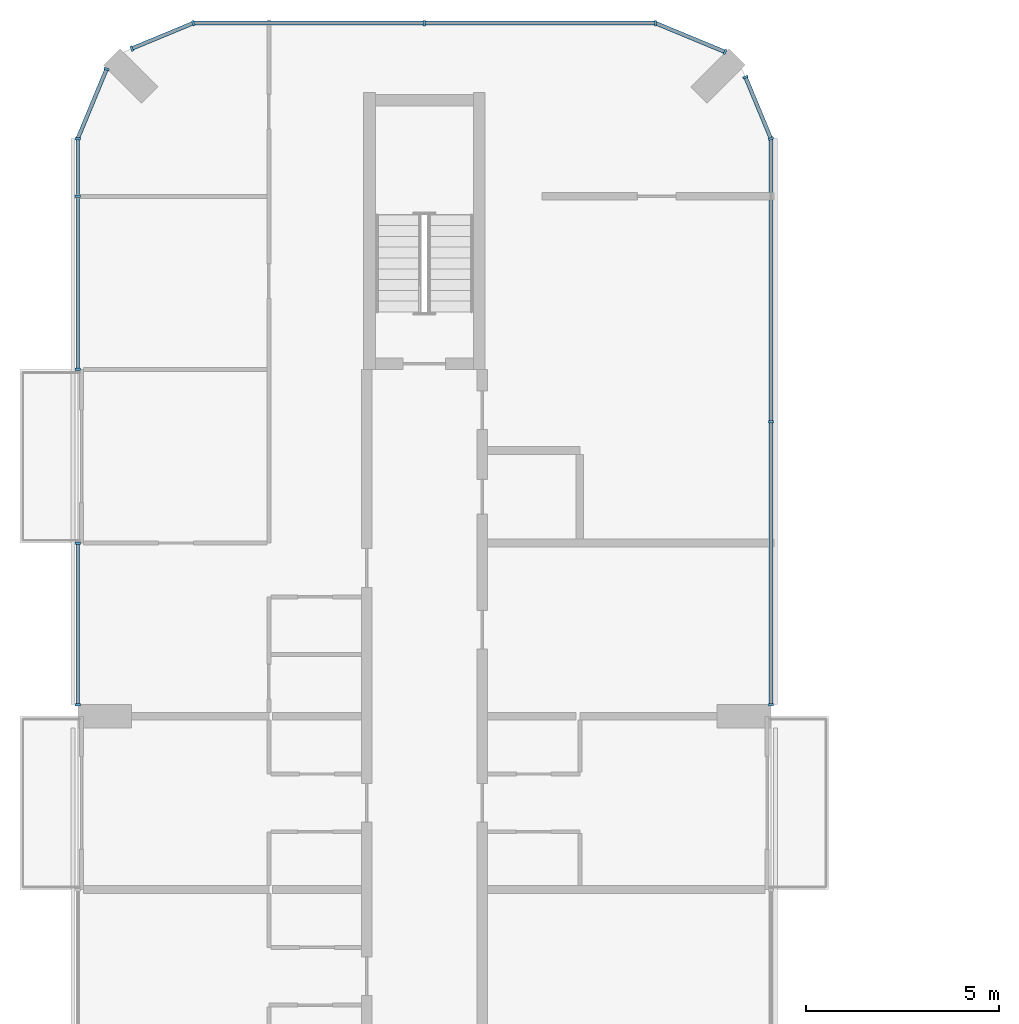
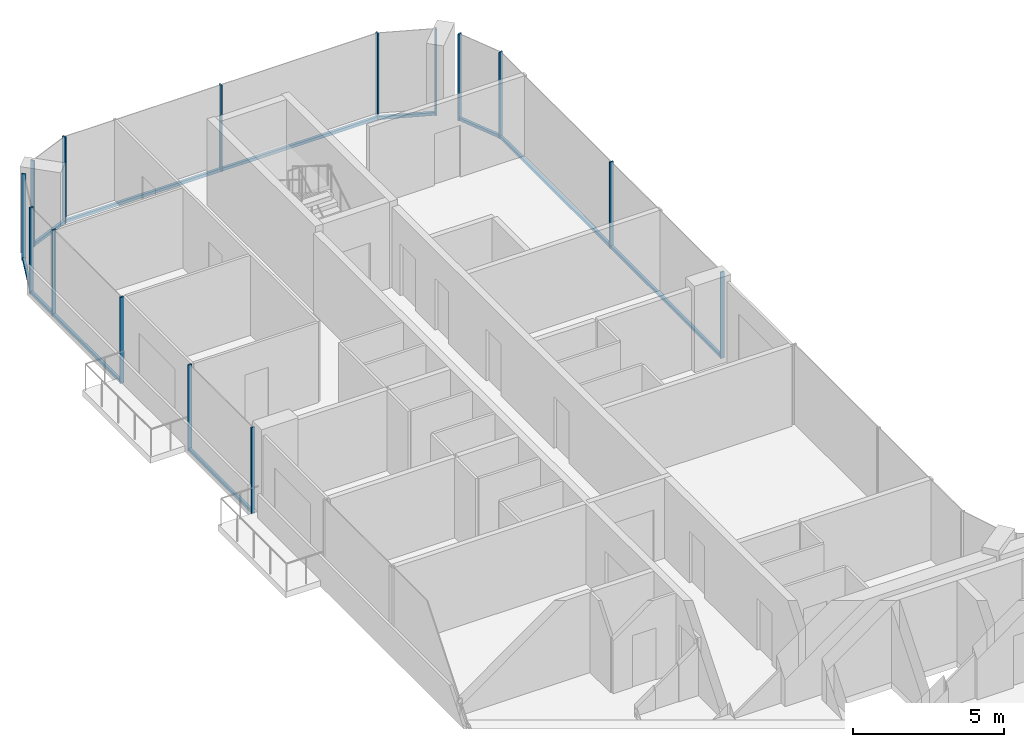
# One storey, part 7 of 15: 23 members, 8 elements without a shape of their own.
"""IFC4 building model written with IfcOpenShell, lengths in metres."""

import ifcopenshell
import ifcopenshell.guid

model = None  # the IFC model being written
_history = None  # IfcOwnerHistory: only IFC2X3 demands one
_inside = {}  # id of a spatial element -> (the spatial element, [elements in it])
_under = {}  # id of a project, library or spatial element -> (it, [spatial elements below it])
_declared = {}  # id of a project -> (the project, [libraries it declares])
_typed = {}  # id of a type object -> (the type object, [elements of that type])
_made_of = {}  # id of a material, layer set ... -> (it, [elements and type objects made of it])


def new_model(schema):
    """Start an empty IFC model of exactly this schema.

    Asked for "IFC4X3", IfcOpenShell would pick the latest addendum, in which some entities
    have other attributes; the version numbers below select the first issue.
    IFC2X3 requires an IfcOwnerHistory on every rooted entity: one is made here for all.
    """
    global model, _history
    if schema == "IFC4X3":
        model = ifcopenshell.file(schema_version=(4, 3, 0, 0))
    else:
        model = ifcopenshell.file(schema=schema)
    _inside.clear()
    _under.clear()
    _declared.clear()
    _typed.clear()
    _made_of.clear()
    _history = None
    if model.schema == "IFC2X3":
        org = make("IfcOrganization", Name="unknown")
        user = make(
            "IfcPersonAndOrganization",
            ThePerson=make("IfcPerson", FamilyName="unknown"),
            TheOrganization=org,
        )
        app = make(
            "IfcApplication",
            ApplicationDeveloper=org,
            Version="unknown",
            ApplicationFullName="unknown",
            ApplicationIdentifier="unknown",
        )
        _history = make(
            "IfcOwnerHistory",
            OwningUser=user,
            OwningApplication=app,
            ChangeAction="ADDED",
            CreationDate=0,
        )
    return model


def make(cls, **values):
    """One entity of the class cls with the attributes given. An attribute that is None is left unset."""
    return model.create_entity(
        cls, **{name: value for name, value in values.items() if value is not None}
    )


def rooted(cls, **values):
    """An entity with a GlobalId (a new one), such as an element, a storey or a relation."""
    return make(cls, GlobalId=ifcopenshell.guid.new(), OwnerHistory=_history, **values)


def si_unit(unit_type, name, prefix=None):
    """IfcSIUnit, for example si_unit("LENGTHUNIT", "METRE", prefix="MILLI")."""
    return make("IfcSIUnit", UnitType=unit_type, Prefix=prefix, Name=name)


def assignment(units):
    """IfcUnitAssignment: the units of a project."""
    return None if units is None else make("IfcUnitAssignment", Units=units)


def point(xyz):
    """IfcCartesianPoint."""
    return None if xyz is None else make("IfcCartesianPoint", Coordinates=xyz)


def direction(xyz):
    """IfcDirection."""
    return None if xyz is None else make("IfcDirection", DirectionRatios=xyz)


def frame(location, z_axis=None, x_axis=None):
    """IfcAxis2Placement3D, a coordinate frame: its origin and axes. An axis left out is left unset."""
    return make(
        "IfcAxis2Placement3D",
        Location=point(location),
        Axis=direction(z_axis),
        RefDirection=direction(x_axis),
    )


def frame_2d(location, x_axis=None):
    """IfcAxis2Placement2D, a coordinate frame in the plane: its origin and x axis."""
    return make(
        "IfcAxis2Placement2D", Location=point(location), RefDirection=direction(x_axis)
    )


def origin():
    """The frame at (0, 0, 0) with its axes left unset."""
    return frame((0.0, 0.0, 0.0))


def origin_2d():
    """The frame at (0, 0) in the plane with its x axis left unset."""
    return frame_2d((0.0, 0.0))


def place(relative_to, where):
    """IfcLocalPlacement: puts the frame where relative to a parent placement (None: the world)."""
    return make(
        "IfcLocalPlacement", PlacementRelTo=relative_to, RelativePlacement=where
    )


def context(
    kind, dimensions, precision=None, world=None, true_north=None, identifier=None
):
    """IfcGeometricRepresentationContext, for example the 3D "Model" context."""
    return make(
        "IfcGeometricRepresentationContext",
        ContextIdentifier=identifier,
        ContextType=kind,
        CoordinateSpaceDimension=dimensions,
        Precision=precision,
        WorldCoordinateSystem=world,
        TrueNorth=true_north,
    )


def subcontext(parent, identifier, kind, view, scale=None):
    """IfcGeometricRepresentationSubContext, for example "Body" below "Model"."""
    return make(
        "IfcGeometricRepresentationSubContext",
        ContextIdentifier=identifier,
        ContextType=kind,
        ParentContext=parent,
        TargetScale=scale,
        TargetView=view,
    )


def project(units=None, contexts=None):
    """IfcProject with its units and contexts."""
    return rooted(
        "IfcProject",
        Name="project",
        RepresentationContexts=contexts,
        UnitsInContext=assignment(units),
    )


def spatial(cls, under=None, at=None, **own):
    """A site, building, storey or space (cls), placed at a placement, below another one or the project."""
    s = rooted(cls, ObjectPlacement=at, **own)
    if under is not None:
        _under.setdefault(under.id(), (under, []))[1].append(s)
    return s


def profile(cls, at=None, kind="AREA", **sizes):
    """A parametric profile (cls). Its sizes go by their IFC names, for example OverallWidth=200.0."""
    return make(cls, ProfileType=kind, Position=at, **sizes)


def rectangle(**sizes):
    """IfcRectangleProfileDef."""
    return profile("IfcRectangleProfileDef", **sizes)


def extrude(swept, where, along, depth):
    """IfcExtrudedAreaSolid: the profile swept, set in the frame where, extruded along a direction by depth."""
    return make(
        "IfcExtrudedAreaSolid",
        SweptArea=swept,
        Position=where,
        ExtrudedDirection=direction(along),
        Depth=depth,
    )


def shape(context_of_items, identifier, shape_type, items):
    """IfcShapeRepresentation: the items that make up one representation, for example the "Body"."""
    return make(
        "IfcShapeRepresentation",
        ContextOfItems=context_of_items,
        RepresentationIdentifier=identifier,
        RepresentationType=shape_type,
        Items=items,
    )


def material(Name=None, Category=None):
    """IfcMaterial."""
    return make("IfcMaterial", Name=Name, Category=Category)


def layer(
    of_material, thickness, ventilated=None, Name=None, Category=None, Priority=None
):
    """IfcMaterialLayer: one layer of a wall or slab, of a material (None: an air gap)."""
    return make(
        "IfcMaterialLayer",
        Material=of_material,
        LayerThickness=thickness,
        IsVentilated=ventilated,
        Name=Name,
        Category=Category,
        Priority=Priority,
    )


def layer_set(layers, Name=None):
    """IfcMaterialLayerSet."""
    return make("IfcMaterialLayerSet", MaterialLayers=layers, LayerSetName=Name)


def material_profile(
    of_material, cross_section, Name=None, Category=None, Priority=None
):
    """IfcMaterialProfile: a cross section and its material."""
    return make(
        "IfcMaterialProfile",
        Name=Name,
        Material=of_material,
        Profile=cross_section,
        Priority=Priority,
        Category=Category,
    )


def profile_set(profiles, Name=None, composite=None):
    """IfcMaterialProfileSet."""
    return make(
        "IfcMaterialProfileSet",
        Name=Name,
        MaterialProfiles=profiles,
        CompositeProfile=composite,
    )


def made_of(thing, what):
    """Note that an element or type object is made of a material, layer set ...; save() writes the relation."""
    if what is not None:
        _made_of.setdefault(what.id(), (what, []))[1].append(thing)
    return thing


def type_object(cls, material=None, **own):
    """A type object (cls), such as IfcWallType, which elements share."""
    return made_of(rooted(cls, **own), material)


def element(
    cls,
    number,
    at=None,
    inside=None,
    cuts=None,
    type_object=None,
    material=None,
    context=None,
    identifier="Body",
    shape_type=None,
    held_by="IfcProductDefinitionShape",
    body=None,
    shapes=None,
    **own,
):
    """One element of the class cls, such as IfcWall. Its Tag is "e" and its number.

    at: its placement. inside: the storey or other place that contains it. cuts: it is an
    opening in that element (IfcRelVoidsElement). A single representation is given by context,
    identifier, shape_type and body (its items); several are given by shapes. held_by: the class
    of the entity that holds the representations. save() writes the other relations.
    """
    e = rooted(cls, Tag="e%d" % number, ObjectPlacement=at, **own)
    if body is not None:
        shapes = [shape(context, identifier, shape_type, body)]
    if shapes is not None:
        e.Representation = make(held_by, Representations=shapes)
    if inside is not None:
        _inside.setdefault(inside.id(), (inside, []))[1].append(e)
    if cuts is not None:
        rooted(
            "IfcRelVoidsElement", RelatingBuildingElement=cuts, RelatedOpeningElement=e
        )
    if type_object is not None:
        _typed.setdefault(type_object.id(), (type_object, []))[1].append(e)
    return made_of(e, material)


def aggregate(whole, parts):
    """IfcRelAggregates: a whole, such as a stair, and the parts it consists of."""
    return rooted("IfcRelAggregates", RelatingObject=whole, RelatedObjects=parts)


def save(model, path):
    """Write the relations noted so far, then the file.

    IfcRelAggregates (storeys below a building ...), IfcRelContainedInSpatialStructure (elements
    in a storey), IfcRelDefinesByType, IfcRelAssociatesMaterial and IfcRelDeclares: one each for
    every whole, place, type object, material and project.
    """
    for whole, parts in _under.values():
        aggregate(whole, parts)
    for where, things in _inside.values():
        rooted(
            "IfcRelContainedInSpatialStructure",
            RelatedElements=things,
            RelatingStructure=where,
        )
    for kind, things in _typed.values():
        rooted("IfcRelDefinesByType", RelatedObjects=things, RelatingType=kind)
    for what, things in _made_of.values():
        rooted("IfcRelAssociatesMaterial", RelatedObjects=things, RelatingMaterial=what)
    for by, libraries in _declared.values():
        rooted("IfcRelDeclares", RelatingContext=by, RelatedDefinitions=libraries)
    model.write(path)


model = new_model("IFC4")

# Units and contexts
model_context = context("Model", 3, precision=1e-05, world=origin(), true_north=direction((0.0, 1.0)))
body_context = subcontext(model_context, "Body", "Model", "MODEL_VIEW")
ifc_project = project(units=[si_unit("LENGTHUNIT", "METRE"), si_unit("AREAUNIT", "SQUARE_METRE"), si_unit("VOLUMEUNIT", "CUBIC_METRE"), si_unit("PLANEANGLEUNIT", "RADIAN"), si_unit("MASSUNIT", "GRAM", prefix="KILO")], contexts=[model_context])

# Site, building, storey
site_placement = place(None, origin())
site = spatial("IfcSite", under=ifc_project, at=site_placement, CompositionType="ELEMENT")
building_placement = place(site_placement, origin())
building = spatial("IfcBuilding", under=site, at=building_placement, Name="Plateau Cross Towers", CompositionType="ELEMENT")
storey_placement = place(building_placement, frame((0.0, 0.0, 194.39990234375)))
storey = spatial("IfcBuildingStorey", under=building, at=storey_placement, Name="L50", CompositionType="ELEMENT", Elevation=194.39990234375)

# Curtain wall, members
ifc_material_1 = material(Name="Dark low-iron glass", Category="glass")
ifc_layer = layer(ifc_material_1, 0.239990234375)
ifc_layer_set = layer_set([ifc_layer], Name="Dark low-iron glass")
curtain_wall_type = type_object("IfcCurtainWallType", Name="Curtain wall flush unitised CW-B", PredefinedType="NOTDEFINED", material=ifc_layer_set)
curtain_wall_1_placement = place(storey_placement, origin())
curtain_wall_1 = element("IfcCurtainWall", 1, at=curtain_wall_1_placement, inside=storey, type_object=curtain_wall_type, Name="ENV/A/L50/A180_363", PredefinedType="NOTDEFINED")
ifc_material_2 = material(Name="Black anodised aluminium", Category="aluminium")
ifc_material_profile_1 = material_profile(ifc_material_2, rectangle(XDim=0.06005859375, YDim=0.139892578125, at=origin_2d()), Name="MULLION 60x140")
ifc_profile_set_1 = profile_set([ifc_material_profile_1], Name="Black anodised aluminium")
member_type_1 = type_object("IfcMemberType", Name="Mullion 60x140 flush unitised", PredefinedType="MULLION", material=ifc_profile_set_1)
member_1_placement = place(storey_placement, frame((18.0, 36.300048828125, -0.25), z_axis=(0.0, 0.0, 1.0), x_axis=(0.0, 1.0, 0.0)))
member_1 = element("IfcMember", 2, at=member_1_placement, type_object=member_type_1, Name="CW-B mullion 1", PredefinedType="MULLION", context=body_context, shape_type="SweptSolid", body=[
    extrude(rectangle(XDim=0.06005859375, YDim=0.139892578125, at=origin_2d()), origin(), (0.0, 0.0, 1.0), 3.5),
])
member_2_placement = place(storey_placement, frame((18.0, 43.64990234375, -0.25), z_axis=(0.0, 0.0, 1.0), x_axis=(0.0, 1.0, 0.0)))
member_2 = element("IfcMember", 3, at=member_2_placement, type_object=member_type_1, Name="CW-B mullion 2", PredefinedType="MULLION", context=body_context, shape_type="SweptSolid", body=[
    extrude(rectangle(XDim=0.06005859375, YDim=0.139892578125, at=origin_2d()), origin(), (0.0, 0.0, 1.0), 3.5),
])

curtain_wall_2_placement = place(storey_placement, origin())
curtain_wall_2 = element("IfcCurtainWall", 4, at=curtain_wall_2_placement, inside=storey, type_object=curtain_wall_type, Name="ENV/A/L50/A180_510", PredefinedType="NOTDEFINED")
member_3_placement = place(storey_placement, frame((18.0, 51.0, -0.25), z_axis=(0.0, 0.0, 1.0), x_axis=(-0.382683612978, 0.923879457699, 0.0)))
member_3 = element("IfcMember", 5, at=member_3_placement, type_object=member_type_1, Name="CW-B mullion 1", PredefinedType="MULLION", context=body_context, shape_type="SweptSolid", body=[
    extrude(rectangle(XDim=0.06005859375, YDim=0.139892578125, at=origin_2d()), origin(), (0.0, 0.0, 1.0), 3.5),
])
member_4_placement = place(storey_placement, frame((17.338623046875, 52.5966796875, -0.25), z_axis=(0.0, 0.0, 1.0), x_axis=(-0.382683612978, 0.923879457699, 0.0)))
member_4 = element("IfcMember", 6, at=member_4_placement, type_object=member_type_1, Name="CW-B mullion 2", PredefinedType="MULLION", context=body_context, shape_type="SweptSolid", body=[
    extrude(rectangle(XDim=0.06005859375, YDim=0.139892578125, at=origin_2d()), origin(), (0.0, 0.0, 1.0), 3.5),
])

# Curtain wall, member
curtain_wall_3_placement = place(storey_placement, origin())
curtain_wall_3 = element("IfcCurtainWall", 7, at=curtain_wall_3_placement, inside=storey, type_object=curtain_wall_type, Name="ENV/A/L50/A168_533", PredefinedType="NOTDEFINED")
member_5_placement = place(storey_placement, frame((16.805908203125, 53.251953125, -0.25), z_axis=(0.0, 0.0, 1.0), x_axis=(-0.923879457699, 0.382683612978, 0.0)))
member_5 = element("IfcMember", 8, at=member_5_placement, type_object=member_type_1, Name="CW-B mullion 1", PredefinedType="MULLION", context=body_context, shape_type="SweptSolid", body=[
    extrude(rectangle(XDim=0.06005859375, YDim=0.139892578125, at=origin_2d()), origin(), (0.0, 0.0, 1.0), 3.5),
])

# Curtain wall, members
curtain_wall_4_placement = place(storey_placement, origin())
curtain_wall_4 = element("IfcCurtainWall", 9, at=curtain_wall_4_placement, inside=storey, type_object=curtain_wall_type, Name="ENV/A/L50/A150_540", PredefinedType="NOTDEFINED")
member_6_placement = place(storey_placement, frame((15.0, 54.0, -0.25), z_axis=(0.0, 0.0, 1.0), x_axis=(-1.0, 0.0, 0.0)))
member_6 = element("IfcMember", 10, at=member_6_placement, type_object=member_type_1, Name="CW-B mullion 1", PredefinedType="MULLION", context=body_context, shape_type="SweptSolid", body=[
    extrude(rectangle(XDim=0.06005859375, YDim=0.139892578125, at=origin_2d()), origin(), (0.0, 0.0, 1.0), 3.5),
])
member_7_placement = place(storey_placement, frame((9.0, 54.0, -0.25), z_axis=(0.0, 0.0, 1.0), x_axis=(-1.0, 0.0, 0.0)))
member_7 = element("IfcMember", 11, at=member_7_placement, type_object=member_type_1, Name="CW-B mullion 2", PredefinedType="MULLION", context=body_context, shape_type="SweptSolid", body=[
    extrude(rectangle(XDim=0.06005859375, YDim=0.139892578125, at=origin_2d()), origin(), (0.0, 0.0, 1.0), 3.5),
])

curtain_wall_5_placement = place(storey_placement, origin())
curtain_wall_5 = element("IfcCurtainWall", 12, at=curtain_wall_5_placement, inside=storey, type_object=curtain_wall_type, Name="ENV/A/L50/A30_540", PredefinedType="NOTDEFINED")
member_8_placement = place(storey_placement, frame((3.0, 54.0, -0.25), z_axis=(0.0, 0.0, 1.0), x_axis=(-0.923879457699, -0.382683612978, 0.0)))
member_8 = element("IfcMember", 13, at=member_8_placement, type_object=member_type_1, Name="CW-B mullion 1", PredefinedType="MULLION", context=body_context, shape_type="SweptSolid", body=[
    extrude(rectangle(XDim=0.06005859375, YDim=0.139892578125, at=origin_2d()), origin(), (0.0, 0.0, 1.0), 3.5),
])
member_9_placement = place(storey_placement, frame((1.4033203125, 53.338623046875, -0.25), z_axis=(0.0, 0.0, 1.0), x_axis=(-0.923879457699, -0.382683612978, 0.0)))
member_9 = element("IfcMember", 14, at=member_9_placement, type_object=member_type_1, Name="CW-B mullion 2", PredefinedType="MULLION", context=body_context, shape_type="SweptSolid", body=[
    extrude(rectangle(XDim=0.06005859375, YDim=0.139892578125, at=origin_2d()), origin(), (0.0, 0.0, 1.0), 3.5),
])

# Curtain wall, member
curtain_wall_6_placement = place(storey_placement, origin())
curtain_wall_6 = element("IfcCurtainWall", 15, at=curtain_wall_6_placement, inside=storey, type_object=curtain_wall_type, Name="ENV/A/L50/A7_528", PredefinedType="NOTDEFINED")
member_10_placement = place(storey_placement, frame((0.748046875, 52.805908203125, -0.25), z_axis=(0.0, 0.0, 1.0), x_axis=(-0.382683612978, -0.923879457699, 0.0)))
member_10 = element("IfcMember", 16, at=member_10_placement, type_object=member_type_1, Name="CW-B mullion 1", PredefinedType="MULLION", context=body_context, shape_type="SweptSolid", body=[
    extrude(rectangle(XDim=0.06005859375, YDim=0.139892578125, at=origin_2d()), origin(), (0.0, 0.0, 1.0), 3.5),
])

# Curtain wall, members
curtain_wall_7_placement = place(storey_placement, origin())
curtain_wall_7 = element("IfcCurtainWall", 17, at=curtain_wall_7_placement, inside=storey, type_object=curtain_wall_type, Name="ENV/A/L50/A0_510", PredefinedType="NOTDEFINED")
member_11_placement = place(storey_placement, frame((0.0, 51.0, -0.25), z_axis=(0.0, 0.0, 1.0), x_axis=(0.0, -1.0, 0.0)))
member_11 = element("IfcMember", 18, at=member_11_placement, type_object=member_type_1, Name="CW-B mullion 1", PredefinedType="MULLION", context=body_context, shape_type="SweptSolid", body=[
    extrude(rectangle(XDim=0.06005859375, YDim=0.139892578125, at=origin_2d()), origin(), (0.0, 0.0, 1.0), 3.5),
])
member_12_placement = place(storey_placement, frame((0.0, 49.5, -0.25), z_axis=(0.0, 0.0, 1.0), x_axis=(0.0, -1.0, 0.0)))
member_12 = element("IfcMember", 19, at=member_12_placement, type_object=member_type_1, Name="CW-B mullion 2", PredefinedType="MULLION", context=body_context, shape_type="SweptSolid", body=[
    extrude(rectangle(XDim=0.06005859375, YDim=0.139892578125, at=origin_2d()), origin(), (0.0, 0.0, 1.0), 3.5),
])
member_13_placement = place(storey_placement, frame((0.0, 45.010009765625, -0.25), z_axis=(0.0, 0.0, 1.0), x_axis=(0.0, -1.0, 0.0)))
member_13 = element("IfcMember", 20, at=member_13_placement, type_object=member_type_1, Name="CW-B mullion 3", PredefinedType="MULLION", context=body_context, shape_type="SweptSolid", body=[
    extrude(rectangle(XDim=0.06005859375, YDim=0.139892578125, at=origin_2d()), origin(), (0.0, 0.0, 1.0), 3.5),
])

curtain_wall_8_placement = place(storey_placement, origin())
curtain_wall_8 = element("IfcCurtainWall", 21, at=curtain_wall_8_placement, inside=storey, type_object=curtain_wall_type, Name="ENV/A/L50/A0_405", PredefinedType="NOTDEFINED")
member_14_placement = place(storey_placement, frame((0.0, 40.489990234375, -0.25), z_axis=(0.0, 0.0, 1.0), x_axis=(0.0, -1.0, 0.0)))
member_14 = element("IfcMember", 22, at=member_14_placement, type_object=member_type_1, Name="CW-B mullion 1", PredefinedType="MULLION", context=body_context, shape_type="SweptSolid", body=[
    extrude(rectangle(XDim=0.06005859375, YDim=0.139892578125, at=origin_2d()), origin(), (0.0, 0.0, 1.0), 3.5),
])
member_15_placement = place(storey_placement, frame((0.0, 36.300048828125, -0.25), z_axis=(0.0, 0.0, 1.0), x_axis=(0.0, -1.0, 0.0)))
member_15 = element("IfcMember", 23, at=member_15_placement, type_object=member_type_1, Name="CW-B mullion 2", PredefinedType="MULLION", context=body_context, shape_type="SweptSolid", body=[
    extrude(rectangle(XDim=0.06005859375, YDim=0.139892578125, at=origin_2d()), origin(), (0.0, 0.0, 1.0), 3.5),
])

# Member
ifc_material_profile_2 = material_profile(ifc_material_2, rectangle(XDim=0.10009765625, YDim=0.1201171875, at=origin_2d()), Name="TRANSOM 100x120")
ifc_profile_set_2 = profile_set([ifc_material_profile_2], Name="Black anodised aluminium")
member_type_2 = type_object("IfcMemberType", Name="Transom 100x120 flush unitised", PredefinedType="USERDEFINED", material=ifc_profile_set_2)
member_16_placement = place(storey_placement, frame((18.0, 36.300048828125, -0.18994140625), z_axis=(0.0, 1.0, 0.0), x_axis=(-1.0, 0.0, 0.0)))
member_16 = element("IfcMember", 24, at=member_16_placement, type_object=member_type_2, Name="CW-B transom", ObjectType="TRANSOM", PredefinedType="USERDEFINED", context=body_context, shape_type="SweptSolid", body=[
    extrude(rectangle(XDim=0.10009765625, YDim=0.1201171875, at=origin_2d()), origin(), (0.0, 0.0, 1.0), 14.699951171875),
])

aggregate(curtain_wall_1, [member_1, member_2, member_16])

member_17_placement = place(storey_placement, frame((18.0, 51.0, -0.18994140625), z_axis=(-0.382688653628, 0.923877369776, 0.0), x_axis=(-0.923877369776, -0.382688653628, 0.0)))
member_17 = element("IfcMember", 25, at=member_17_placement, type_object=member_type_2, Name="CW-B transom", ObjectType="TRANSOM", PredefinedType="USERDEFINED", context=body_context, shape_type="SweptSolid", body=[
    extrude(rectangle(XDim=0.10009765625, YDim=0.1201171875, at=origin_2d()), origin(), (0.0, 0.0, 1.0), 1.728271484375),
])

aggregate(curtain_wall_2, [member_3, member_4, member_17])

member_18_placement = place(storey_placement, frame((16.805908203125, 53.251953125, -0.18994140625), z_axis=(-0.92387678234, 0.382690071798, 0.0), x_axis=(-0.382690071798, -0.92387678234, 0.0)))
member_18 = element("IfcMember", 26, at=member_18_placement, type_object=member_type_2, Name="CW-B transom", ObjectType="TRANSOM", PredefinedType="USERDEFINED", context=body_context, shape_type="SweptSolid", body=[
    extrude(rectangle(XDim=0.10009765625, YDim=0.1201171875, at=origin_2d()), origin(), (0.0, 0.0, 1.0), 1.95458984375),
])

aggregate(curtain_wall_3, [member_5, member_18])

member_19_placement = place(storey_placement, frame((15.0, 54.0, -0.18994140625), z_axis=(-1.0, 0.0, 0.0), x_axis=(0.0, -1.0, 0.0)))
member_19 = element("IfcMember", 27, at=member_19_placement, type_object=member_type_2, Name="CW-B transom", ObjectType="TRANSOM", PredefinedType="USERDEFINED", context=body_context, shape_type="SweptSolid", body=[
    extrude(rectangle(XDim=0.10009765625, YDim=0.1201171875, at=origin_2d()), origin(), (0.0, 0.0, 1.0), 12.0),
])

aggregate(curtain_wall_4, [member_6, member_7, member_19])

member_20_placement = place(storey_placement, frame((3.0, 54.0, -0.18994140625), z_axis=(-0.923877369776, -0.382688653628, 0.0), x_axis=(0.382688653628, -0.923877369776, 0.0)))
member_20 = element("IfcMember", 28, at=member_20_placement, type_object=member_type_2, Name="CW-B transom", ObjectType="TRANSOM", PredefinedType="USERDEFINED", context=body_context, shape_type="SweptSolid", body=[
    extrude(rectangle(XDim=0.10009765625, YDim=0.1201171875, at=origin_2d()), origin(), (0.0, 0.0, 1.0), 1.728271484375),
])

aggregate(curtain_wall_5, [member_8, member_9, member_20])

member_21_placement = place(storey_placement, frame((0.748046875, 52.805908203125, -0.18994140625), z_axis=(-0.382690071798, -0.92387678234, 0.0), x_axis=(0.92387678234, -0.382690071798, 0.0)))
member_21 = element("IfcMember", 29, at=member_21_placement, type_object=member_type_2, Name="CW-B transom", ObjectType="TRANSOM", PredefinedType="USERDEFINED", context=body_context, shape_type="SweptSolid", body=[
    extrude(rectangle(XDim=0.10009765625, YDim=0.1201171875, at=origin_2d()), origin(), (0.0, 0.0, 1.0), 1.95458984375),
])

aggregate(curtain_wall_6, [member_10, member_21])

member_22_placement = place(storey_placement, frame((0.0, 51.0, -0.18994140625), z_axis=(0.0, -1.0, 0.0), x_axis=(1.0, 0.0, 0.0)))
member_22 = element("IfcMember", 30, at=member_22_placement, type_object=member_type_2, Name="CW-B transom", ObjectType="TRANSOM", PredefinedType="USERDEFINED", context=body_context, shape_type="SweptSolid", body=[
    extrude(rectangle(XDim=0.10009765625, YDim=0.1201171875, at=origin_2d()), origin(), (0.0, 0.0, 1.0), 5.989990234375),
])

aggregate(curtain_wall_7, [member_11, member_12, member_13, member_22])

member_23_placement = place(storey_placement, frame((0.0, 40.489990234375, -0.18994140625), z_axis=(0.0, -1.0, 0.0), x_axis=(1.0, 0.0, 0.0)))
member_23 = element("IfcMember", 31, at=member_23_placement, type_object=member_type_2, Name="CW-B transom", ObjectType="TRANSOM", PredefinedType="USERDEFINED", context=body_context, shape_type="SweptSolid", body=[
    extrude(rectangle(XDim=0.10009765625, YDim=0.1201171875, at=origin_2d()), origin(), (0.0, 0.0, 1.0), 4.18994140625),
])

aggregate(curtain_wall_8, [member_14, member_15, member_23])

save(model, "model.ifc")
